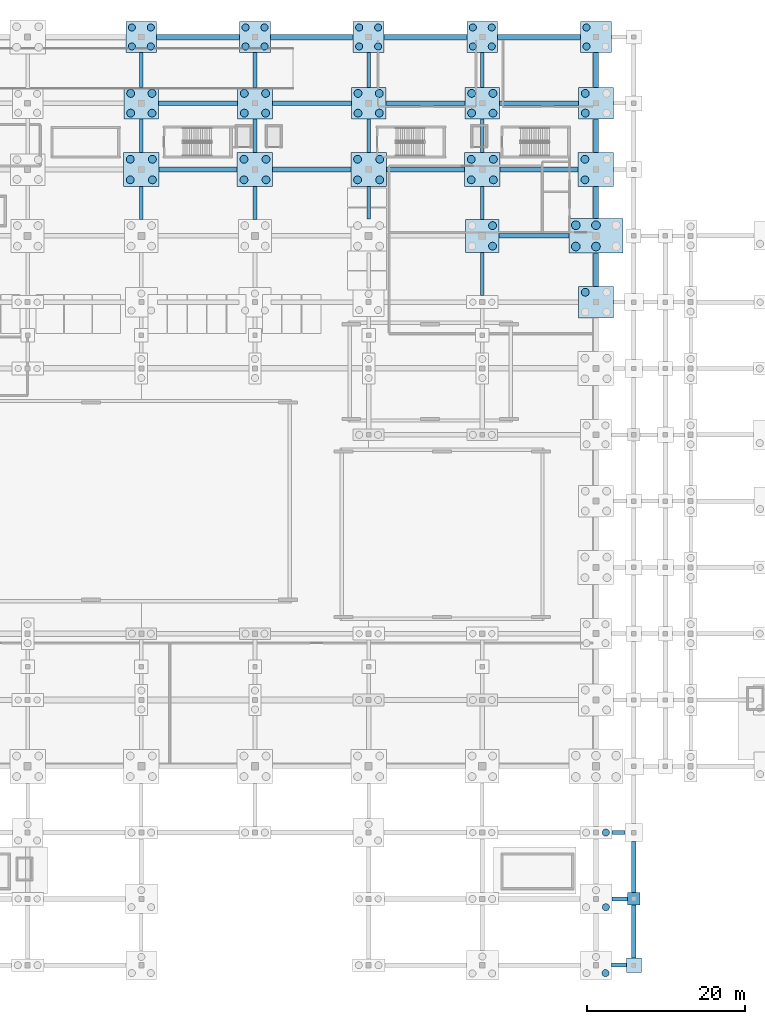
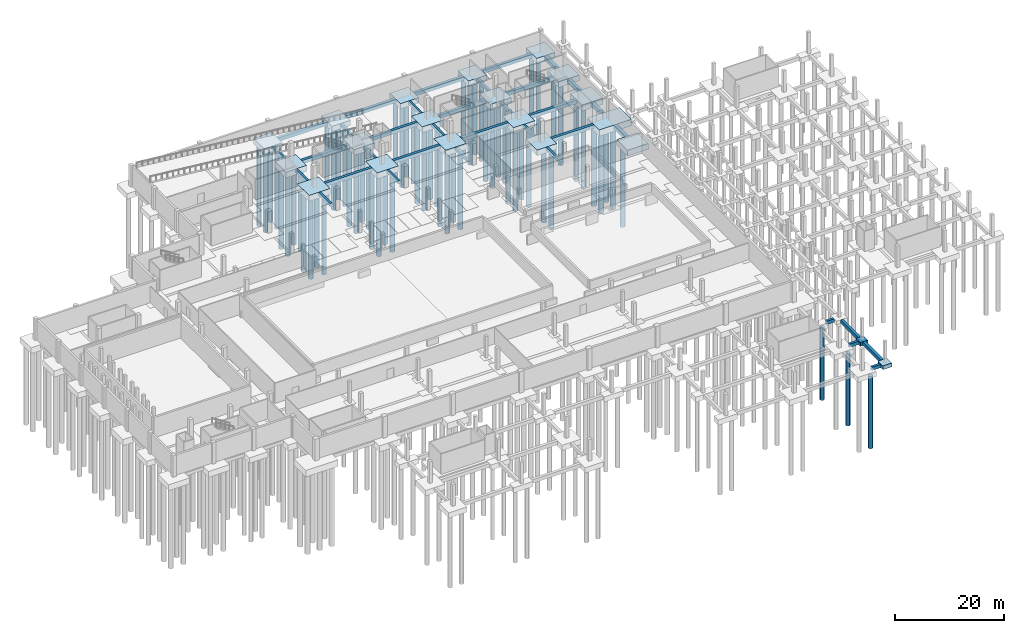
# One storey, part 6 of 26: 64 piles, 55 footings.
"""IFC4 building model written with IfcOpenShell, lengths in metres."""

from ifc_helpers import new_model, si_unit, direction, frame, origin, origin_2d, place, context, subcontext, project, spatial, rectangle, circle, extrude, material, material_profile, profile_set, type_object, element, save


model = new_model("IFC4")

# Units and contexts
model_context = context("Model", 3, precision=1e-05, world=origin(), true_north=direction((0.0, 1.0)))
body_context = subcontext(model_context, "Body", "Model", "MODEL_VIEW")
ifc_project = project(units=[si_unit("LENGTHUNIT", "METRE"), si_unit("AREAUNIT", "SQUARE_METRE"), si_unit("VOLUMEUNIT", "CUBIC_METRE"), si_unit("PLANEANGLEUNIT", "RADIAN"), si_unit("MASSUNIT", "GRAM", prefix="KILO"), si_unit("THERMODYNAMICTEMPERATUREUNIT", "KELVIN")], contexts=[model_context])

# Site, building, storey
site_placement = place(None, origin())
site = spatial("IfcSite", under=ifc_project, at=site_placement, CompositionType="ELEMENT")
building_placement = place(site_placement, origin())
building = spatial("IfcBuilding", under=site, at=building_placement, Name="Nduvali Passage Aquatics Centre", CompositionType="ELEMENT")
storey_placement = place(building_placement, frame((0.0, 0.0, -4.800048828125)))
storey = spatial("IfcBuildingStorey", under=building, at=storey_placement, Name="B01", CompositionType="ELEMENT", Elevation=-4.800048828125)

# Footings
ifc_material = material(Name="Concrete C40/50", Category="concrete")
footing_type_1 = type_object("IfcFootingType", Name="STR-GB-1", PredefinedType="FOOTING_BEAM", material=ifc_material)
footing_1_placement = place(storey_placement, frame((118.14990234375, 92.39990234375, -0.7998046875), z_axis=(0.0, 0.0, 1.0), x_axis=(1.0, 0.0, 0.0)))
element("IfcFooting", 1, at=footing_1_placement, inside=storey, type_object=footing_type_1, Name="Ground Beam X-0120", PredefinedType="FOOTING_BEAM", context=body_context, shape_type="SweptSolid", body=[
    extrude(rectangle(XDim=8.89990234375, YDim=0.60009765625, at=origin_2d()), origin(), (0.0, 0.0, 1.0), 0.800048828125),
])
for number, where, z_axis, x_axis, name in (
    (2, (75.60009765625, 100.800048828125, -0.7998046875), (0.0, 0.0, 1.0), (1.0, 0.0, 0.0), "Ground Beam X-0128"),
    (3, (90.0, 100.800048828125, -0.7998046875), (0.0, 0.0, 1.0), (1.0, 0.0, 0.0), "Ground Beam X-0129"),
    (4, (104.39990234375, 100.800048828125, -0.7998046875), (0.0, 0.0, 1.0), (1.0, 0.0, 0.0), "Ground Beam X-0130"),
    (5, (118.800048828125, 100.800048828125, -0.7998046875), (0.0, 0.0, 1.0), (1.0, 0.0, 0.0), "Ground Beam X-0131"),
):
    element("IfcFooting", number, at=place(storey_placement, frame(where, z_axis=z_axis, x_axis=x_axis)), inside=storey, type_object=footing_type_1, Name=name, PredefinedType="FOOTING_BEAM", context=body_context, shape_type="SweptSolid", body=[
        extrude(rectangle(XDim=9.89990234375, YDim=0.60009765625, at=origin_2d()), origin(), (0.0, 0.0, 1.0), 0.800048828125),
    ])
for number, where, z_axis, x_axis, name in (
    (6, (75.60009765625, 109.199951171875, -0.7998046875), (0.0, 0.0, 1.0), (1.0, 0.0, 0.0), "Ground Beam X-0135"),
    (7, (90.0, 109.199951171875, -0.7998046875), (0.0, 0.0, 1.0), (1.0, 0.0, 0.0), "Ground Beam X-0136"),
    (8, (104.39990234375, 109.199951171875, -0.7998046875), (0.0, 0.0, 1.0), (1.0, 0.0, 0.0), "Ground Beam X-0137"),
    (9, (118.800048828125, 109.199951171875, -0.7998046875), (0.0, 0.0, 1.0), (1.0, 0.0, 0.0), "Ground Beam X-0138"),
):
    element("IfcFooting", number, at=place(storey_placement, frame(where, z_axis=z_axis, x_axis=x_axis)), inside=storey, type_object=footing_type_1, Name=name, PredefinedType="FOOTING_BEAM", context=body_context, shape_type="SweptSolid", body=[
        extrude(rectangle(XDim=10.0, YDim=0.60009765625, at=origin_2d()), origin(), (0.0, 0.0, 1.0), 0.800048828125),
    ])
for number, where, z_axis, x_axis, name in (
    (10, (75.60009765625, 117.60009765625, -0.7998046875), (0.0, 0.0, 1.0), (1.0, 0.0, 0.0), "Ground Beam X-0142"),
    (11, (90.0, 117.60009765625, -0.7998046875), (0.0, 0.0, 1.0), (1.0, 0.0, 0.0), "Ground Beam X-0143"),
    (12, (104.39990234375, 117.60009765625, -0.7998046875), (0.0, 0.0, 1.0), (1.0, 0.0, 0.0), "Ground Beam X-0144"),
    (13, (118.800048828125, 117.60009765625, -0.7998046875), (0.0, 0.0, 1.0), (1.0, 0.0, 0.0), "Ground Beam X-0145"),
):
    element("IfcFooting", number, at=place(storey_placement, frame(where, z_axis=z_axis, x_axis=x_axis)), inside=storey, type_object=footing_type_1, Name=name, PredefinedType="FOOTING_BEAM", context=body_context, shape_type="SweptSolid", body=[
        extrude(rectangle(XDim=10.5, YDim=0.60009765625, at=origin_2d()), origin(), (0.0, 0.0, 1.0), 0.800048828125),
    ])
footing_2_placement = place(storey_placement, frame((130.800048828125, 4.25, -0.7998046875), z_axis=(0.0, 0.0, 1.0), x_axis=(0.0, 1.0, 0.0)))
element("IfcFooting", 14, at=footing_2_placement, inside=storey, type_object=footing_type_1, Name="Ground Beam Y-0251", PredefinedType="FOOTING_BEAM", context=body_context, shape_type="SweptSolid", body=[
    extrude(rectangle(XDim=6.699951171875, YDim=0.60009765625, at=origin_2d()), origin(), (0.0, 0.0, 1.0), 0.800048828125),
])
footing_3_placement = place(storey_placement, frame((130.800048828125, 12.4375, -0.7998046875), z_axis=(0.0, 0.0, 1.0), x_axis=(0.0, 1.0, 0.0)))
element("IfcFooting", 15, at=footing_3_placement, inside=storey, type_object=footing_type_1, Name="Ground Beam Y-0252", PredefinedType="FOOTING_BEAM", context=body_context, shape_type="SweptSolid", body=[
    extrude(rectangle(XDim=6.47509765625, YDim=0.60009765625, at=origin_2d()), origin(), (0.0, 0.0, 1.0), 0.800048828125),
])
footing_type_2 = type_object("IfcFootingType", Name="STR-GB-2", PredefinedType="FOOTING_BEAM", material=ifc_material)
footing_4_placement = place(storey_placement, frame((128.89990234375, 0.0, -0.75), z_axis=(0.0, 0.0, 1.0), x_axis=(1.0, 0.0, 0.0)))
element("IfcFooting", 16, at=footing_4_placement, inside=storey, type_object=footing_type_2, Name="Ground Beam X-0005", PredefinedType="FOOTING_BEAM", context=body_context, shape_type="SweptSolid", body=[
    extrude(rectangle(XDim=1.89990234375, YDim=0.5, at=origin_2d()), origin(), (0.0, 0.0, 1.0), 0.75),
])
footing_5_placement = place(storey_placement, frame((129.012451171875, 8.39990234375, -0.75), z_axis=(0.0, 0.0, 1.0), x_axis=(1.0, 0.0, 0.0)))
element("IfcFooting", 17, at=footing_5_placement, inside=storey, type_object=footing_type_2, Name="Ground Beam X-0010", PredefinedType="FOOTING_BEAM", context=body_context, shape_type="SweptSolid", body=[
    extrude(rectangle(XDim=1.97509765625, YDim=0.5, at=origin_2d()), origin(), (0.0, 0.0, 1.0), 0.75),
])
footing_6_placement = place(storey_placement, frame((128.862548828125, 16.800048828125, -0.75), z_axis=(0.0, 0.0, 1.0), x_axis=(1.0, 0.0, 0.0)))
element("IfcFooting", 18, at=footing_6_placement, inside=storey, type_object=footing_type_2, Name="Ground Beam X-0017", PredefinedType="FOOTING_BEAM", context=body_context, shape_type="SweptSolid", body=[
    extrude(rectangle(XDim=1.625, YDim=0.5, at=origin_2d()), origin(), (0.0, 0.0, 1.0), 0.75),
])
footing_type_3 = type_object("IfcFootingType", Name="STR-GB-3", PredefinedType="FOOTING_BEAM", material=ifc_material)
footing_7_placement = place(storey_placement, frame((126.0, 88.10009765625, -0.89990234375), z_axis=(0.0, 0.0, 1.0), x_axis=(0.0, 1.0, 0.0)))
element("IfcFooting", 19, at=footing_7_placement, inside=storey, type_object=footing_type_3, Name="Ground Beam Y-0247", PredefinedType="FOOTING_BEAM", context=body_context, shape_type="SweptSolid", body=[
    extrude(rectangle(XDim=4.199951171875, YDim=0.64990234375, at=origin_2d()), origin(), (0.0, 0.0, 1.0), 0.89990234375),
])
footing_8_placement = place(storey_placement, frame((126.0, 96.625, -0.89990234375), z_axis=(0.0, 0.0, 1.0), x_axis=(0.0, 1.0, 0.0)))
element("IfcFooting", 20, at=footing_8_placement, inside=storey, type_object=footing_type_3, Name="Ground Beam Y-0248", PredefinedType="FOOTING_BEAM", context=body_context, shape_type="SweptSolid", body=[
    extrude(rectangle(XDim=4.050048828125, YDim=0.64990234375, at=origin_2d()), origin(), (0.0, 0.0, 1.0), 0.89990234375),
])
footing_9_placement = place(storey_placement, frame((126.0, 105.074951171875, -0.89990234375), z_axis=(0.0, 0.0, 1.0), x_axis=(0.0, 1.0, 0.0)))
element("IfcFooting", 21, at=footing_9_placement, inside=storey, type_object=footing_type_3, Name="Ground Beam Y-0249", PredefinedType="FOOTING_BEAM", context=body_context, shape_type="SweptSolid", body=[
    extrude(rectangle(XDim=4.25, YDim=0.64990234375, at=origin_2d()), origin(), (0.0, 0.0, 1.0), 0.89990234375),
])
footing_10_placement = place(storey_placement, frame((126.0, 113.425048828125, -0.89990234375), z_axis=(0.0, 0.0, 1.0), x_axis=(0.0, 1.0, 0.0)))
element("IfcFooting", 22, at=footing_10_placement, inside=storey, type_object=footing_type_3, Name="Ground Beam Y-0250", PredefinedType="FOOTING_BEAM", context=body_context, shape_type="SweptSolid", body=[
    extrude(rectangle(XDim=4.449951171875, YDim=0.64990234375, at=origin_2d()), origin(), (0.0, 0.0, 1.0), 0.89990234375),
])
footing_type_4 = type_object("IfcFootingType", Name="STR-GB-6", PredefinedType="FOOTING_BEAM", material=ifc_material)
footing_11_placement = place(storey_placement, frame((68.39990234375, 96.574951171875, -0.69970703125), z_axis=(0.0, 0.0, 1.0), x_axis=(0.0, 1.0, 0.0)))
element("IfcFooting", 23, at=footing_11_placement, inside=storey, type_object=footing_type_4, Name="Ground Beam Y-0198", PredefinedType="FOOTING_BEAM", context=body_context, shape_type="SweptSolid", body=[
    extrude(rectangle(XDim=4.14990234375, YDim=0.449951171875, at=origin_2d()), origin(), (0.0, 0.0, 1.0), 0.699951171875),
])
footing_12_placement = place(storey_placement, frame((68.39990234375, 105.074951171875, -0.69970703125), z_axis=(0.0, 0.0, 1.0), x_axis=(0.0, 1.0, 0.0)))
element("IfcFooting", 24, at=footing_12_placement, inside=storey, type_object=footing_type_4, Name="Ground Beam Y-0199", PredefinedType="FOOTING_BEAM", context=body_context, shape_type="SweptSolid", body=[
    extrude(rectangle(XDim=4.25, YDim=0.449951171875, at=origin_2d()), origin(), (0.0, 0.0, 1.0), 0.699951171875),
])
footing_13_placement = place(storey_placement, frame((68.39990234375, 113.425048828125, -0.69970703125), z_axis=(0.0, 0.0, 1.0), x_axis=(0.0, 1.0, 0.0)))
element("IfcFooting", 25, at=footing_13_placement, inside=storey, type_object=footing_type_4, Name="Ground Beam Y-0200", PredefinedType="FOOTING_BEAM", context=body_context, shape_type="SweptSolid", body=[
    extrude(rectangle(XDim=4.449951171875, YDim=0.449951171875, at=origin_2d()), origin(), (0.0, 0.0, 1.0), 0.699951171875),
])
footing_14_placement = place(storey_placement, frame((82.800048828125, 96.574951171875, -0.69970703125), z_axis=(0.0, 0.0, 1.0), x_axis=(0.0, 1.0, 0.0)))
element("IfcFooting", 26, at=footing_14_placement, inside=storey, type_object=footing_type_4, Name="Ground Beam Y-0208", PredefinedType="FOOTING_BEAM", context=body_context, shape_type="SweptSolid", body=[
    extrude(rectangle(XDim=4.14990234375, YDim=0.449951171875, at=origin_2d()), origin(), (0.0, 0.0, 1.0), 0.699951171875),
])
footing_15_placement = place(storey_placement, frame((82.800048828125, 105.074951171875, -0.69970703125), z_axis=(0.0, 0.0, 1.0), x_axis=(0.0, 1.0, 0.0)))
element("IfcFooting", 27, at=footing_15_placement, inside=storey, type_object=footing_type_4, Name="Ground Beam Y-0209", PredefinedType="FOOTING_BEAM", context=body_context, shape_type="SweptSolid", body=[
    extrude(rectangle(XDim=4.25, YDim=0.449951171875, at=origin_2d()), origin(), (0.0, 0.0, 1.0), 0.699951171875),
])
footing_16_placement = place(storey_placement, frame((82.800048828125, 113.425048828125, -0.69970703125), z_axis=(0.0, 0.0, 1.0), x_axis=(0.0, 1.0, 0.0)))
element("IfcFooting", 28, at=footing_16_placement, inside=storey, type_object=footing_type_4, Name="Ground Beam Y-0210", PredefinedType="FOOTING_BEAM", context=body_context, shape_type="SweptSolid", body=[
    extrude(rectangle(XDim=4.449951171875, YDim=0.449951171875, at=origin_2d()), origin(), (0.0, 0.0, 1.0), 0.699951171875),
])
footing_17_placement = place(storey_placement, frame((97.199951171875, 96.60009765625, -0.69970703125), z_axis=(0.0, 0.0, 1.0), x_axis=(0.0, 1.0, 0.0)))
element("IfcFooting", 29, at=footing_17_placement, inside=storey, type_object=footing_type_4, Name="Ground Beam Y-0221", PredefinedType="FOOTING_BEAM", context=body_context, shape_type="SweptSolid", body=[
    extrude(rectangle(XDim=4.10009765625, YDim=0.449951171875, at=origin_2d()), origin(), (0.0, 0.0, 1.0), 0.699951171875),
])
footing_18_placement = place(storey_placement, frame((97.199951171875, 105.074951171875, -0.69970703125), z_axis=(0.0, 0.0, 1.0), x_axis=(0.0, 1.0, 0.0)))
element("IfcFooting", 30, at=footing_18_placement, inside=storey, type_object=footing_type_4, Name="Ground Beam Y-0222", PredefinedType="FOOTING_BEAM", context=body_context, shape_type="SweptSolid", body=[
    extrude(rectangle(XDim=4.25, YDim=0.449951171875, at=origin_2d()), origin(), (0.0, 0.0, 1.0), 0.699951171875),
])
footing_19_placement = place(storey_placement, frame((97.199951171875, 113.425048828125, -0.69970703125), z_axis=(0.0, 0.0, 1.0), x_axis=(0.0, 1.0, 0.0)))
element("IfcFooting", 31, at=footing_19_placement, inside=storey, type_object=footing_type_4, Name="Ground Beam Y-0223", PredefinedType="FOOTING_BEAM", context=body_context, shape_type="SweptSolid", body=[
    extrude(rectangle(XDim=4.449951171875, YDim=0.449951171875, at=origin_2d()), origin(), (0.0, 0.0, 1.0), 0.699951171875),
])
footing_20_placement = place(storey_placement, frame((111.60009765625, 87.5625, -0.69970703125), z_axis=(0.0, 0.0, 1.0), x_axis=(0.0, 1.0, 0.0)))
element("IfcFooting", 32, at=footing_20_placement, inside=storey, type_object=footing_type_4, Name="Ground Beam Y-0233", PredefinedType="FOOTING_BEAM", context=body_context, shape_type="SweptSolid", body=[
    extrude(rectangle(XDim=5.47509765625, YDim=0.449951171875, at=origin_2d()), origin(), (0.0, 0.0, 1.0), 0.699951171875),
])
footing_21_placement = place(storey_placement, frame((111.60009765625, 96.574951171875, -0.69970703125), z_axis=(0.0, 0.0, 1.0), x_axis=(0.0, 1.0, 0.0)))
element("IfcFooting", 33, at=footing_21_placement, inside=storey, type_object=footing_type_4, Name="Ground Beam Y-0234", PredefinedType="FOOTING_BEAM", context=body_context, shape_type="SweptSolid", body=[
    extrude(rectangle(XDim=4.14990234375, YDim=0.449951171875, at=origin_2d()), origin(), (0.0, 0.0, 1.0), 0.699951171875),
])
footing_22_placement = place(storey_placement, frame((111.60009765625, 105.074951171875, -0.69970703125), z_axis=(0.0, 0.0, 1.0), x_axis=(0.0, 1.0, 0.0)))
element("IfcFooting", 34, at=footing_22_placement, inside=storey, type_object=footing_type_4, Name="Ground Beam Y-0235", PredefinedType="FOOTING_BEAM", context=body_context, shape_type="SweptSolid", body=[
    extrude(rectangle(XDim=4.25, YDim=0.449951171875, at=origin_2d()), origin(), (0.0, 0.0, 1.0), 0.699951171875),
])
footing_23_placement = place(storey_placement, frame((111.60009765625, 113.425048828125, -0.69970703125), z_axis=(0.0, 0.0, 1.0), x_axis=(0.0, 1.0, 0.0)))
element("IfcFooting", 35, at=footing_23_placement, inside=storey, type_object=footing_type_4, Name="Ground Beam Y-0236", PredefinedType="FOOTING_BEAM", context=body_context, shape_type="SweptSolid", body=[
    extrude(rectangle(XDim=4.449951171875, YDim=0.449951171875, at=origin_2d()), origin(), (0.0, 0.0, 1.0), 0.699951171875),
])
footing_type_5 = type_object("IfcFootingType", Name="STR-PC-4A", PredefinedType="PILE_CAP", material=ifc_material)
for number, where, z_axis, x_axis, name in (
    (36, (68.39990234375, 117.60009765625, -1.19970703125), (0.0, 0.0, 1.0), (1.0, 0.0, 0.0), "Pile Cap PC4A at (68.4, 117.6)"),
    (37, (82.800048828125, 117.60009765625, -1.19970703125), (0.0, 0.0, 1.0), (1.0, 0.0, 0.0), "Pile Cap PC4A at (82.8, 117.6)"),
    (38, (97.199951171875, 117.60009765625, -1.19970703125), (0.0, 0.0, 1.0), (1.0, 0.0, 0.0), "Pile Cap PC4A at (97.2, 117.6)"),
    (39, (111.60009765625, 117.60009765625, -1.19970703125), (0.0, 0.0, 1.0), (1.0, 0.0, 0.0), "Pile Cap PC4A at (111.6, 117.6)"),
    (40, (126.0, 117.60009765625, -1.19970703125), (0.0, 0.0, 1.0), (1.0, 0.0, 0.0), "Pile Cap PC4A at (126.0, 117.6)"),
):
    element("IfcFooting", number, at=place(storey_placement, frame(where, z_axis=z_axis, x_axis=x_axis)), inside=storey, type_object=footing_type_5, Name=name, PredefinedType="PILE_CAP", context=body_context, shape_type="SweptSolid", body=[
        extrude(rectangle(XDim=3.89990234375, YDim=3.89990234375, at=origin_2d()), origin(), (0.0, 0.0, 1.0), 1.199951171875),
    ])
footing_type_6 = type_object("IfcFootingType", Name="STR-PC-4B", PredefinedType="PILE_CAP", material=ifc_material)
footing_24_placement = place(storey_placement, frame((111.60009765625, 92.39990234375, -1.25), z_axis=(0.0, 0.0, 1.0), x_axis=(1.0, 0.0, 0.0)))
element("IfcFooting", 41, at=footing_24_placement, inside=storey, type_object=footing_type_6, Name="Pile Cap PC4B at (111.6, 92.4)", PredefinedType="PILE_CAP", context=body_context, shape_type="SweptSolid", body=[
    extrude(rectangle(XDim=4.199951171875, YDim=4.199951171875, at=origin_2d()), origin(), (0.0, 0.0, 1.0), 1.25),
])
footing_type_7 = type_object("IfcFootingType", Name="STR-PC-4C", PredefinedType="PILE_CAP", material=ifc_material)
for number, where, z_axis, x_axis, name in (
    (42, (68.39990234375, 109.199951171875, -1.2998046875), (0.0, 0.0, 1.0), (1.0, 0.0, 0.0), "Pile Cap PC4C at (68.4, 109.2)"),
    (43, (82.800048828125, 109.199951171875, -1.2998046875), (0.0, 0.0, 1.0), (1.0, 0.0, 0.0), "Pile Cap PC4C at (82.8, 109.2)"),
    (44, (97.199951171875, 109.199951171875, -1.2998046875), (0.0, 0.0, 1.0), (1.0, 0.0, 0.0), "Pile Cap PC4C at (97.2, 109.2)"),
    (45, (111.60009765625, 109.199951171875, -1.2998046875), (0.0, 0.0, 1.0), (1.0, 0.0, 0.0), "Pile Cap PC4C at (111.6, 109.2)"),
    (46, (126.0, 84.0, -1.2998046875), (0.0, 0.0, 1.0), (1.0, 0.0, 0.0), "Pile Cap PC4C at (126.0, 84.0)"),
    (47, (126.0, 109.199951171875, -1.2998046875), (0.0, 0.0, 1.0), (1.0, 0.0, 0.0), "Pile Cap PC4C at (126.0, 109.2)"),
):
    element("IfcFooting", number, at=place(storey_placement, frame(where, z_axis=z_axis, x_axis=x_axis)), inside=storey, type_object=footing_type_7, Name=name, PredefinedType="PILE_CAP", context=body_context, shape_type="SweptSolid", body=[
        extrude(rectangle(XDim=4.39990234375, YDim=4.0, at=origin_2d()), origin(), (0.0, 0.0, 1.0), 1.300048828125),
    ])
footing_type_8 = type_object("IfcFootingType", Name="STR-PC-4D", PredefinedType="PILE_CAP", material=ifc_material)
for number, where, z_axis, x_axis, name in (
    (48, (68.39990234375, 100.800048828125, -1.35009765625), (0.0, 0.0, 1.0), (1.0, 0.0, 0.0), "Pile Cap PC4D at (68.4, 100.8)"),
    (49, (82.800048828125, 100.800048828125, -1.35009765625), (0.0, 0.0, 1.0), (1.0, 0.0, 0.0), "Pile Cap PC4D at (82.8, 100.8)"),
    (50, (97.199951171875, 100.800048828125, -1.35009765625), (0.0, 0.0, 1.0), (1.0, 0.0, 0.0), "Pile Cap PC4D at (97.2, 100.8)"),
    (51, (111.60009765625, 100.800048828125, -1.35009765625), (0.0, 0.0, 1.0), (1.0, 0.0, 0.0), "Pile Cap PC4D at (111.6, 100.8)"),
    (52, (126.0, 100.800048828125, -1.35009765625), (0.0, 0.0, 1.0), (1.0, 0.0, 0.0), "Pile Cap PC4D at (126.0, 100.8)"),
):
    element("IfcFooting", number, at=place(storey_placement, frame(where, z_axis=z_axis, x_axis=x_axis)), inside=storey, type_object=footing_type_8, Name=name, PredefinedType="PILE_CAP", context=body_context, shape_type="SweptSolid", body=[
        extrude(rectangle(XDim=4.5, YDim=4.300048828125, at=origin_2d()), origin(), (0.0, 0.0, 1.0), 1.35009765625),
    ])
footing_type_9 = type_object("IfcFootingType", Name="STR-PC-6B", PredefinedType="PILE_CAP", material=ifc_material)
footing_25_placement = place(storey_placement, frame((126.0, 92.39990234375, -1.44970703125), z_axis=(0.0, 0.0, 1.0), x_axis=(1.0, 0.0, 0.0)))
element("IfcFooting", 53, at=footing_25_placement, inside=storey, type_object=footing_type_9, Name="Pile Cap PC6B at (126.0, 92.4)", PredefinedType="PILE_CAP", context=body_context, shape_type="SweptSolid", body=[
    extrude(rectangle(XDim=6.800048828125, YDim=4.39990234375, at=origin_2d()), origin(), (0.0, 0.0, 1.0), 1.449951171875),
])
footing_type_10 = type_object("IfcFootingType", Name="STR-PF-4", PredefinedType="PAD_FOOTING", material=ifc_material)
footing_26_placement = place(storey_placement, frame((130.800048828125, 0.0, -0.85009765625), z_axis=(0.0, 0.0, 1.0), x_axis=(1.0, 0.0, 0.0)))
element("IfcFooting", 54, at=footing_26_placement, inside=storey, type_object=footing_type_10, Name="Pad Footing PF4 at (130.8, 0.0)", PredefinedType="PAD_FOOTING", context=body_context, shape_type="SweptSolid", body=[
    extrude(rectangle(XDim=1.89990234375, YDim=1.800048828125, at=origin_2d()), origin(), (0.0, 0.0, 1.0), 0.85009765625),
])
footing_type_11 = type_object("IfcFootingType", Name="STR-PF-DIVE", PredefinedType="PAD_FOOTING", material=ifc_material)
footing_27_placement = place(storey_placement, frame((130.800048828125, 8.39990234375, -0.85009765625), z_axis=(0.0, 0.0, 1.0), x_axis=(1.0, 0.0, 0.0)))
element("IfcFooting", 55, at=footing_27_placement, inside=storey, type_object=footing_type_11, Name="Pad Footing PF5 at (130.8, 8.4)", PredefinedType="PAD_FOOTING", context=body_context, shape_type="SweptSolid", body=[
    extrude(rectangle(XDim=1.60009765625, YDim=1.60009765625, at=origin_2d()), origin(), (0.0, 0.0, 1.0), 0.85009765625),
])

# Piles
ifc_material_profile_1 = material_profile(ifc_material, circle(Radius=0.5, at=origin_2d()), Name="PILE D1000")
ifc_profile_set_1 = profile_set([ifc_material_profile_1], Name="Concrete C40/50")
pile_type_1 = type_object("IfcPileType", Name="STR-PILE-D1000", PredefinedType="BORED", material=ifc_profile_set_1)
for number, where, z_axis, x_axis, name in (
    (56, (67.0, 99.5, -1.25), (0.0, 0.0, -1.0), (1.0, 0.0, 0.0), "Bored Pile 083-1"),
    (57, (69.800048828125, 99.5, -1.25), (0.0, 0.0, -1.0), (1.0, 0.0, 0.0), "Bored Pile 083-2"),
    (58, (67.0, 102.10009765625, -1.25), (0.0, 0.0, -1.0), (1.0, 0.0, 0.0), "Bored Pile 083-3"),
    (59, (69.800048828125, 102.10009765625, -1.25), (0.0, 0.0, -1.0), (1.0, 0.0, 0.0), "Bored Pile 083-4"),
):
    element("IfcPile", number, at=place(storey_placement, frame(where, z_axis=z_axis, x_axis=x_axis)), inside=storey, type_object=pile_type_1, Name=name, PredefinedType="BORED", context=body_context, shape_type="SweptSolid", body=[
        extrude(circle(Radius=0.5, at=origin_2d()), origin(), (0.0, 0.0, 1.0), 17.949951171875),
    ])
for number, where, z_axis, x_axis, name in (
    (60, (67.050048828125, 107.949951171875, -1.199951171875), (0.0, 0.0, -1.0), (1.0, 0.0, 0.0), "Bored Pile 084-1"),
    (61, (69.75, 107.949951171875, -1.199951171875), (0.0, 0.0, -1.0), (1.0, 0.0, 0.0), "Bored Pile 084-2"),
    (62, (67.050048828125, 110.449951171875, -1.199951171875), (0.0, 0.0, -1.0), (1.0, 0.0, 0.0), "Bored Pile 084-3"),
    (63, (69.75, 110.449951171875, -1.199951171875), (0.0, 0.0, -1.0), (1.0, 0.0, 0.0), "Bored Pile 084-4"),
):
    element("IfcPile", number, at=place(storey_placement, frame(where, z_axis=z_axis, x_axis=x_axis)), inside=storey, type_object=pile_type_1, Name=name, PredefinedType="BORED", context=body_context, shape_type="SweptSolid", body=[
        extrude(circle(Radius=0.5, at=origin_2d()), origin(), (0.0, 0.0, 1.0), 18.0),
    ])
for number, where, z_axis, x_axis, name in (
    (64, (81.39990234375, 99.5, -1.25), (0.0, 0.0, -1.0), (1.0, 0.0, 0.0), "Bored Pile 095-1"),
    (65, (84.199951171875, 99.5, -1.25), (0.0, 0.0, -1.0), (1.0, 0.0, 0.0), "Bored Pile 095-2"),
    (66, (81.39990234375, 102.10009765625, -1.25), (0.0, 0.0, -1.0), (1.0, 0.0, 0.0), "Bored Pile 095-3"),
    (67, (84.199951171875, 102.10009765625, -1.25), (0.0, 0.0, -1.0), (1.0, 0.0, 0.0), "Bored Pile 095-4"),
):
    element("IfcPile", number, at=place(storey_placement, frame(where, z_axis=z_axis, x_axis=x_axis)), inside=storey, type_object=pile_type_1, Name=name, PredefinedType="BORED", context=body_context, shape_type="SweptSolid", body=[
        extrude(circle(Radius=0.5, at=origin_2d()), origin(), (0.0, 0.0, 1.0), 17.949951171875),
    ])
for number, where, z_axis, x_axis, name in (
    (68, (81.449951171875, 107.949951171875, -1.199951171875), (0.0, 0.0, -1.0), (1.0, 0.0, 0.0), "Bored Pile 096-1"),
    (69, (84.14990234375, 107.949951171875, -1.199951171875), (0.0, 0.0, -1.0), (1.0, 0.0, 0.0), "Bored Pile 096-2"),
    (70, (81.449951171875, 110.449951171875, -1.199951171875), (0.0, 0.0, -1.0), (1.0, 0.0, 0.0), "Bored Pile 096-3"),
    (71, (84.14990234375, 110.449951171875, -1.199951171875), (0.0, 0.0, -1.0), (1.0, 0.0, 0.0), "Bored Pile 096-4"),
):
    element("IfcPile", number, at=place(storey_placement, frame(where, z_axis=z_axis, x_axis=x_axis)), inside=storey, type_object=pile_type_1, Name=name, PredefinedType="BORED", context=body_context, shape_type="SweptSolid", body=[
        extrude(circle(Radius=0.5, at=origin_2d()), origin(), (0.0, 0.0, 1.0), 18.0),
    ])
for number, where, z_axis, x_axis, name in (
    (72, (95.800048828125, 99.5, -1.25), (0.0, 0.0, -1.0), (1.0, 0.0, 0.0), "Bored Pile 110-1"),
    (73, (98.60009765625, 99.5, -1.25), (0.0, 0.0, -1.0), (1.0, 0.0, 0.0), "Bored Pile 110-2"),
    (74, (95.800048828125, 102.10009765625, -1.25), (0.0, 0.0, -1.0), (1.0, 0.0, 0.0), "Bored Pile 110-3"),
    (75, (98.60009765625, 102.10009765625, -1.25), (0.0, 0.0, -1.0), (1.0, 0.0, 0.0), "Bored Pile 110-4"),
):
    element("IfcPile", number, at=place(storey_placement, frame(where, z_axis=z_axis, x_axis=x_axis)), inside=storey, type_object=pile_type_1, Name=name, PredefinedType="BORED", context=body_context, shape_type="SweptSolid", body=[
        extrude(circle(Radius=0.5, at=origin_2d()), origin(), (0.0, 0.0, 1.0), 17.949951171875),
    ])
for number, where, z_axis, x_axis, name in (
    (76, (95.85009765625, 107.949951171875, -1.199951171875), (0.0, 0.0, -1.0), (1.0, 0.0, 0.0), "Bored Pile 111-1"),
    (77, (98.550048828125, 107.949951171875, -1.199951171875), (0.0, 0.0, -1.0), (1.0, 0.0, 0.0), "Bored Pile 111-2"),
    (78, (95.85009765625, 110.449951171875, -1.199951171875), (0.0, 0.0, -1.0), (1.0, 0.0, 0.0), "Bored Pile 111-3"),
    (79, (98.550048828125, 110.449951171875, -1.199951171875), (0.0, 0.0, -1.0), (1.0, 0.0, 0.0), "Bored Pile 111-4"),
):
    element("IfcPile", number, at=place(storey_placement, frame(where, z_axis=z_axis, x_axis=x_axis)), inside=storey, type_object=pile_type_1, Name=name, PredefinedType="BORED", context=body_context, shape_type="SweptSolid", body=[
        extrude(circle(Radius=0.5, at=origin_2d()), origin(), (0.0, 0.0, 1.0), 18.0),
    ])
for number, where, z_axis, x_axis, name in (
    (80, (112.89990234375, 91.10009765625, -1.14990234375), (0.0, 0.0, -1.0), (1.0, 0.0, 0.0), "Bored Pile 124-2"),
    (81, (112.89990234375, 93.699951171875, -1.14990234375), (0.0, 0.0, -1.0), (1.0, 0.0, 0.0), "Bored Pile 124-4"),
):
    element("IfcPile", number, at=place(storey_placement, frame(where, z_axis=z_axis, x_axis=x_axis)), inside=storey, type_object=pile_type_1, Name=name, PredefinedType="BORED", context=body_context, shape_type="SweptSolid", body=[
        extrude(circle(Radius=0.5, at=origin_2d()), origin(), (0.0, 0.0, 1.0), 18.050048828125),
    ])
for number, where, z_axis, x_axis, name in (
    (82, (110.199951171875, 99.5, -1.25), (0.0, 0.0, -1.0), (1.0, 0.0, 0.0), "Bored Pile 125-1"),
    (83, (113.0, 99.5, -1.25), (0.0, 0.0, -1.0), (1.0, 0.0, 0.0), "Bored Pile 125-2"),
    (84, (110.199951171875, 102.10009765625, -1.25), (0.0, 0.0, -1.0), (1.0, 0.0, 0.0), "Bored Pile 125-3"),
    (85, (113.0, 102.10009765625, -1.25), (0.0, 0.0, -1.0), (1.0, 0.0, 0.0), "Bored Pile 125-4"),
):
    element("IfcPile", number, at=place(storey_placement, frame(where, z_axis=z_axis, x_axis=x_axis)), inside=storey, type_object=pile_type_1, Name=name, PredefinedType="BORED", context=body_context, shape_type="SweptSolid", body=[
        extrude(circle(Radius=0.5, at=origin_2d()), origin(), (0.0, 0.0, 1.0), 17.949951171875),
    ])
for number, where, z_axis, x_axis, name in (
    (86, (110.25, 107.949951171875, -1.199951171875), (0.0, 0.0, -1.0), (1.0, 0.0, 0.0), "Bored Pile 126-1"),
    (87, (112.949951171875, 107.949951171875, -1.199951171875), (0.0, 0.0, -1.0), (1.0, 0.0, 0.0), "Bored Pile 126-2"),
    (88, (110.25, 110.449951171875, -1.199951171875), (0.0, 0.0, -1.0), (1.0, 0.0, 0.0), "Bored Pile 126-3"),
    (89, (112.949951171875, 110.449951171875, -1.199951171875), (0.0, 0.0, -1.0), (1.0, 0.0, 0.0), "Bored Pile 126-4"),
    (90, (124.64990234375, 85.25, -1.199951171875), (0.0, 0.0, -1.0), (1.0, 0.0, 0.0), "Bored Pile 138-3"),
):
    element("IfcPile", number, at=place(storey_placement, frame(where, z_axis=z_axis, x_axis=x_axis)), inside=storey, type_object=pile_type_1, Name=name, PredefinedType="BORED", context=body_context, shape_type="SweptSolid", body=[
        extrude(circle(Radius=0.5, at=origin_2d()), origin(), (0.0, 0.0, 1.0), 18.0),
    ])
for number, where, z_axis, x_axis, name in (
    (91, (124.60009765625, 99.5, -1.25), (0.0, 0.0, -1.0), (1.0, 0.0, 0.0), "Bored Pile 140-1"),
    (92, (124.60009765625, 102.10009765625, -1.25), (0.0, 0.0, -1.0), (1.0, 0.0, 0.0), "Bored Pile 140-3"),
):
    element("IfcPile", number, at=place(storey_placement, frame(where, z_axis=z_axis, x_axis=x_axis)), inside=storey, type_object=pile_type_1, Name=name, PredefinedType="BORED", context=body_context, shape_type="SweptSolid", body=[
        extrude(circle(Radius=0.5, at=origin_2d()), origin(), (0.0, 0.0, 1.0), 17.949951171875),
    ])
for number, where, z_axis, x_axis, name in (
    (93, (124.64990234375, 107.949951171875, -1.199951171875), (0.0, 0.0, -1.0), (1.0, 0.0, 0.0), "Bored Pile 141-1"),
    (94, (124.64990234375, 110.449951171875, -1.199951171875), (0.0, 0.0, -1.0), (1.0, 0.0, 0.0), "Bored Pile 141-3"),
):
    element("IfcPile", number, at=place(storey_placement, frame(where, z_axis=z_axis, x_axis=x_axis)), inside=storey, type_object=pile_type_1, Name=name, PredefinedType="BORED", context=body_context, shape_type="SweptSolid", body=[
        extrude(circle(Radius=0.5, at=origin_2d()), origin(), (0.0, 0.0, 1.0), 18.0),
    ])
ifc_material_profile_2 = material_profile(ifc_material, circle(Radius=0.550048828125, at=origin_2d()), Name="PILE D1100")
ifc_profile_set_2 = profile_set([ifc_material_profile_2], Name="Concrete C40/50")
pile_type_2 = type_object("IfcPileType", Name="STR-PILE-D1100", PredefinedType="BORED", material=ifc_profile_set_2)
for number, where, z_axis, x_axis, name in (
    (95, (123.449951171875, 91.050048828125, -1.349853515625), (0.0, 0.0, -1.0), (1.0, 0.0, 0.0), "Bored Pile 139-1"),
    (96, (126.0, 91.050048828125, -1.349853515625), (0.0, 0.0, -1.0), (1.0, 0.0, 0.0), "Bored Pile 139-2"),
    (97, (123.449951171875, 93.75, -1.349853515625), (0.0, 0.0, -1.0), (1.0, 0.0, 0.0), "Bored Pile 139-4"),
    (98, (126.0, 93.75, -1.349853515625), (0.0, 0.0, -1.0), (1.0, 0.0, 0.0), "Bored Pile 139-5"),
):
    element("IfcPile", number, at=place(storey_placement, frame(where, z_axis=z_axis, x_axis=x_axis)), inside=storey, type_object=pile_type_2, Name=name, PredefinedType="BORED", context=body_context, shape_type="SweptSolid", body=[
        extrude(circle(Radius=0.550048828125, at=origin_2d()), origin(), (0.0, 0.0, 1.0), 17.85009765625),
    ])
ifc_material_profile_3 = material_profile(ifc_material, circle(Radius=0.449951171875, at=origin_2d()), Name="PILE D900")
ifc_profile_set_3 = profile_set([ifc_material_profile_3], Name="Concrete C40/50")
pile_type_3 = type_object("IfcPileType", Name="STR-PILE-D900", PredefinedType="BORED", material=ifc_profile_set_3)
for number, where, z_axis, x_axis, name in (
    (99, (67.199951171875, 116.39990234375, -1.099853515625), (0.0, 0.0, -1.0), (1.0, 0.0, 0.0), "Bored Pile 085-1"),
    (100, (69.60009765625, 116.39990234375, -1.099853515625), (0.0, 0.0, -1.0), (1.0, 0.0, 0.0), "Bored Pile 085-2"),
    (101, (67.199951171875, 118.800048828125, -1.099853515625), (0.0, 0.0, -1.0), (1.0, 0.0, 0.0), "Bored Pile 085-3"),
    (102, (69.60009765625, 118.800048828125, -1.099853515625), (0.0, 0.0, -1.0), (1.0, 0.0, 0.0), "Bored Pile 085-4"),
    (103, (81.60009765625, 116.39990234375, -1.099853515625), (0.0, 0.0, -1.0), (1.0, 0.0, 0.0), "Bored Pile 097-1"),
    (104, (84.0, 116.39990234375, -1.099853515625), (0.0, 0.0, -1.0), (1.0, 0.0, 0.0), "Bored Pile 097-2"),
    (105, (81.60009765625, 118.800048828125, -1.099853515625), (0.0, 0.0, -1.0), (1.0, 0.0, 0.0), "Bored Pile 097-3"),
    (106, (84.0, 118.800048828125, -1.099853515625), (0.0, 0.0, -1.0), (1.0, 0.0, 0.0), "Bored Pile 097-4"),
    (107, (96.0, 116.39990234375, -1.099853515625), (0.0, 0.0, -1.0), (1.0, 0.0, 0.0), "Bored Pile 112-1"),
    (108, (98.39990234375, 116.39990234375, -1.099853515625), (0.0, 0.0, -1.0), (1.0, 0.0, 0.0), "Bored Pile 112-2"),
    (109, (96.0, 118.800048828125, -1.099853515625), (0.0, 0.0, -1.0), (1.0, 0.0, 0.0), "Bored Pile 112-3"),
    (110, (98.39990234375, 118.800048828125, -1.099853515625), (0.0, 0.0, -1.0), (1.0, 0.0, 0.0), "Bored Pile 112-4"),
    (111, (110.39990234375, 116.39990234375, -1.099853515625), (0.0, 0.0, -1.0), (1.0, 0.0, 0.0), "Bored Pile 127-1"),
    (112, (112.800048828125, 116.39990234375, -1.099853515625), (0.0, 0.0, -1.0), (1.0, 0.0, 0.0), "Bored Pile 127-2"),
    (113, (110.39990234375, 118.800048828125, -1.099853515625), (0.0, 0.0, -1.0), (1.0, 0.0, 0.0), "Bored Pile 127-3"),
    (114, (112.800048828125, 118.800048828125, -1.099853515625), (0.0, 0.0, -1.0), (1.0, 0.0, 0.0), "Bored Pile 127-4"),
):
    element("IfcPile", number, at=place(storey_placement, frame(where, z_axis=z_axis, x_axis=x_axis)), inside=storey, type_object=pile_type_3, Name=name, PredefinedType="BORED", context=body_context, shape_type="SweptSolid", body=[
        extrude(circle(Radius=0.449951171875, at=origin_2d()), origin(), (0.0, 0.0, 1.0), 18.10009765625),
    ])
pile_1_placement = place(storey_placement, frame((127.199951171875, -1.0, -1.050048828125), z_axis=(0.0, 0.0, -1.0), x_axis=(1.0, 0.0, 0.0)))
element("IfcPile", 115, at=pile_1_placement, inside=storey, type_object=pile_type_3, Name="Bored Pile 128-2", PredefinedType="BORED", context=body_context, shape_type="SweptSolid", body=[
    extrude(circle(Radius=0.449951171875, at=origin_2d()), origin(), (0.0, 0.0, 1.0), 16.14990234375),
])
pile_2_placement = place(storey_placement, frame((127.25, 7.35009765625, -1.099853515625), z_axis=(0.0, 0.0, -1.0), x_axis=(1.0, 0.0, 0.0)))
element("IfcPile", 116, at=pile_2_placement, inside=storey, type_object=pile_type_3, Name="Bored Pile 129-2", PredefinedType="BORED", context=body_context, shape_type="SweptSolid", body=[
    extrude(circle(Radius=0.449951171875, at=origin_2d()), origin(), (0.0, 0.0, 1.0), 16.10009765625),
])
pile_3_placement = place(storey_placement, frame((127.25, 16.800048828125, -1.050048828125), z_axis=(0.0, 0.0, -1.0), x_axis=(1.0, 0.0, 0.0)))
element("IfcPile", 117, at=pile_3_placement, inside=storey, type_object=pile_type_3, Name="Bored Pile 130-2", PredefinedType="BORED", context=body_context, shape_type="SweptSolid", body=[
    extrude(circle(Radius=0.449951171875, at=origin_2d()), origin(), (0.0, 0.0, 1.0), 16.14990234375),
])
for number, where, z_axis, x_axis, name in (
    (118, (124.800048828125, 116.39990234375, -1.099853515625), (0.0, 0.0, -1.0), (1.0, 0.0, 0.0), "Bored Pile 142-1"),
    (119, (124.800048828125, 118.800048828125, -1.099853515625), (0.0, 0.0, -1.0), (1.0, 0.0, 0.0), "Bored Pile 142-3"),
):
    element("IfcPile", number, at=place(storey_placement, frame(where, z_axis=z_axis, x_axis=x_axis)), inside=storey, type_object=pile_type_3, Name=name, PredefinedType="BORED", context=body_context, shape_type="SweptSolid", body=[
        extrude(circle(Radius=0.449951171875, at=origin_2d()), origin(), (0.0, 0.0, 1.0), 18.10009765625),
    ])

save(model, "model.ifc")
